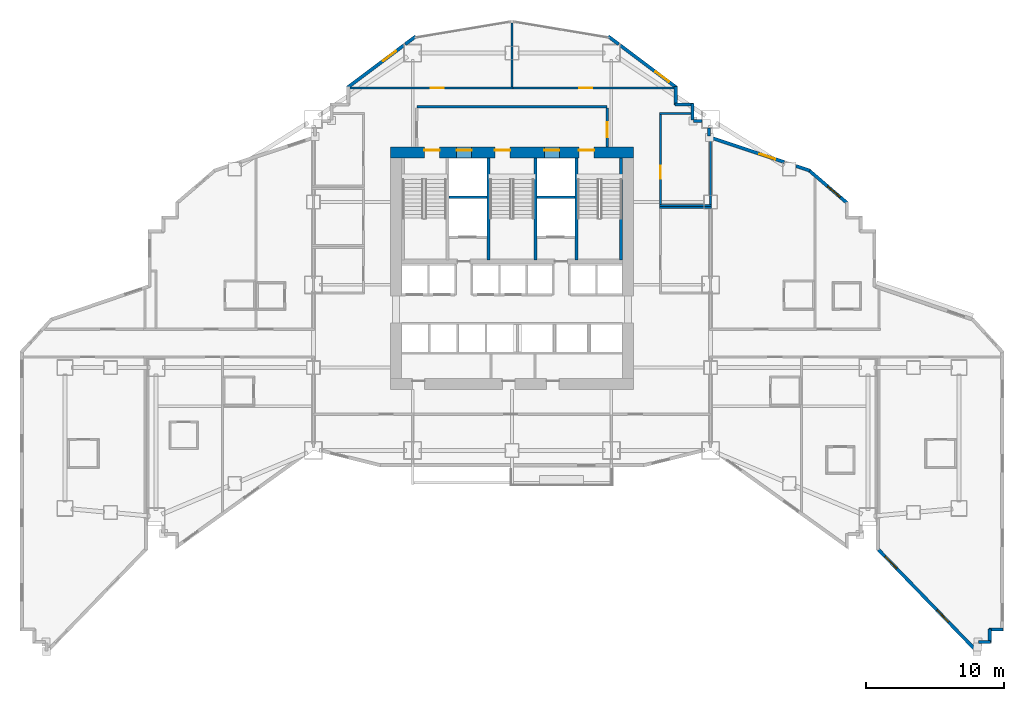
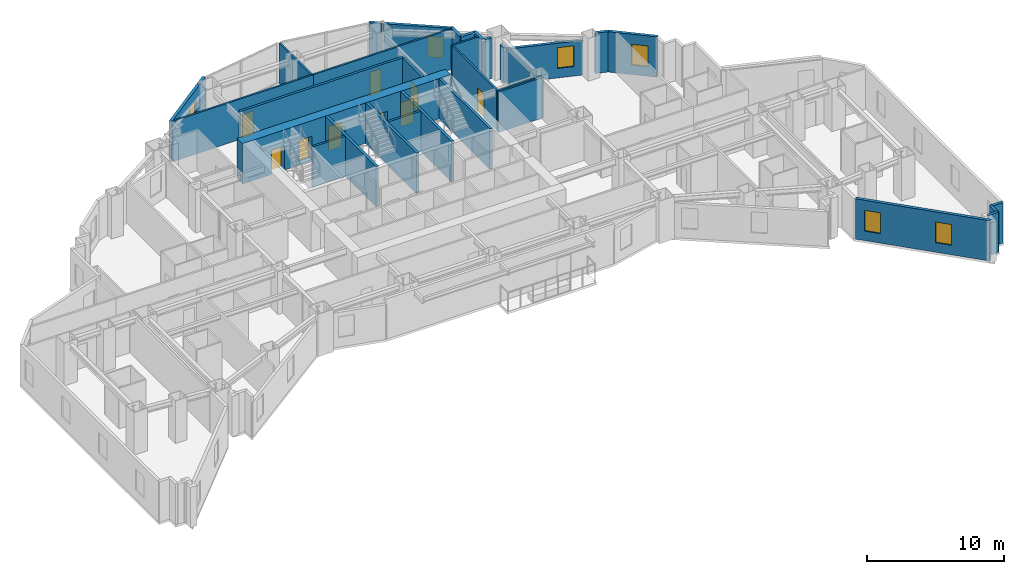
# One storey, part 11 of 17: 33 walls, 9 doors, 6 windows, 15 openings.
"""IFC4 building model written with IfcOpenShell, lengths in metres."""

import ifcopenshell
import ifcopenshell.guid

model = None  # the IFC model being written
_history = None  # IfcOwnerHistory: only IFC2X3 demands one
_inside = {}  # id of a spatial element -> (the spatial element, [elements in it])
_under = {}  # id of a project, library or spatial element -> (it, [spatial elements below it])
_declared = {}  # id of a project -> (the project, [libraries it declares])
_typed = {}  # id of a type object -> (the type object, [elements of that type])
_made_of = {}  # id of a material, layer set ... -> (it, [elements and type objects made of it])


def new_model(schema):
    """Start an empty IFC model of exactly this schema.

    Asked for "IFC4X3", IfcOpenShell would pick the latest addendum, in which some entities
    have other attributes; the version numbers below select the first issue.
    IFC2X3 requires an IfcOwnerHistory on every rooted entity: one is made here for all.
    """
    global model, _history
    if schema == "IFC4X3":
        model = ifcopenshell.file(schema_version=(4, 3, 0, 0))
    else:
        model = ifcopenshell.file(schema=schema)
    _inside.clear()
    _under.clear()
    _declared.clear()
    _typed.clear()
    _made_of.clear()
    _history = None
    if model.schema == "IFC2X3":
        org = make("IfcOrganization", Name="unknown")
        user = make(
            "IfcPersonAndOrganization",
            ThePerson=make("IfcPerson", FamilyName="unknown"),
            TheOrganization=org,
        )
        app = make(
            "IfcApplication",
            ApplicationDeveloper=org,
            Version="unknown",
            ApplicationFullName="unknown",
            ApplicationIdentifier="unknown",
        )
        _history = make(
            "IfcOwnerHistory",
            OwningUser=user,
            OwningApplication=app,
            ChangeAction="ADDED",
            CreationDate=0,
        )
    return model


def make(cls, **values):
    """One entity of the class cls with the attributes given. An attribute that is None is left unset."""
    return model.create_entity(
        cls, **{name: value for name, value in values.items() if value is not None}
    )


def rooted(cls, **values):
    """An entity with a GlobalId (a new one), such as an element, a storey or a relation."""
    return make(cls, GlobalId=ifcopenshell.guid.new(), OwnerHistory=_history, **values)


def si_unit(unit_type, name, prefix=None):
    """IfcSIUnit, for example si_unit("LENGTHUNIT", "METRE", prefix="MILLI")."""
    return make("IfcSIUnit", UnitType=unit_type, Prefix=prefix, Name=name)


def assignment(units):
    """IfcUnitAssignment: the units of a project."""
    return None if units is None else make("IfcUnitAssignment", Units=units)


def point(xyz):
    """IfcCartesianPoint."""
    return None if xyz is None else make("IfcCartesianPoint", Coordinates=xyz)


def direction(xyz):
    """IfcDirection."""
    return None if xyz is None else make("IfcDirection", DirectionRatios=xyz)


def frame(location, z_axis=None, x_axis=None):
    """IfcAxis2Placement3D, a coordinate frame: its origin and axes. An axis left out is left unset."""
    return make(
        "IfcAxis2Placement3D",
        Location=point(location),
        Axis=direction(z_axis),
        RefDirection=direction(x_axis),
    )


def frame_2d(location, x_axis=None):
    """IfcAxis2Placement2D, a coordinate frame in the plane: its origin and x axis."""
    return make(
        "IfcAxis2Placement2D", Location=point(location), RefDirection=direction(x_axis)
    )


def origin():
    """The frame at (0, 0, 0) with its axes left unset."""
    return frame((0.0, 0.0, 0.0))


def place(relative_to, where):
    """IfcLocalPlacement: puts the frame where relative to a parent placement (None: the world)."""
    return make(
        "IfcLocalPlacement", PlacementRelTo=relative_to, RelativePlacement=where
    )


def context(
    kind, dimensions, precision=None, world=None, true_north=None, identifier=None
):
    """IfcGeometricRepresentationContext, for example the 3D "Model" context."""
    return make(
        "IfcGeometricRepresentationContext",
        ContextIdentifier=identifier,
        ContextType=kind,
        CoordinateSpaceDimension=dimensions,
        Precision=precision,
        WorldCoordinateSystem=world,
        TrueNorth=true_north,
    )


def subcontext(parent, identifier, kind, view, scale=None):
    """IfcGeometricRepresentationSubContext, for example "Body" below "Model"."""
    return make(
        "IfcGeometricRepresentationSubContext",
        ContextIdentifier=identifier,
        ContextType=kind,
        ParentContext=parent,
        TargetScale=scale,
        TargetView=view,
    )


def project(units=None, contexts=None):
    """IfcProject with its units and contexts."""
    return rooted(
        "IfcProject",
        Name="project",
        RepresentationContexts=contexts,
        UnitsInContext=assignment(units),
    )


def spatial(cls, under=None, at=None, **own):
    """A site, building, storey or space (cls), placed at a placement, below another one or the project."""
    s = rooted(cls, ObjectPlacement=at, **own)
    if under is not None:
        _under.setdefault(under.id(), (under, []))[1].append(s)
    return s


def profile(cls, at=None, kind="AREA", **sizes):
    """A parametric profile (cls). Its sizes go by their IFC names, for example OverallWidth=200.0."""
    return make(cls, ProfileType=kind, Position=at, **sizes)


def rectangle(**sizes):
    """IfcRectangleProfileDef."""
    return profile("IfcRectangleProfileDef", **sizes)


def extrude(swept, where, along, depth):
    """IfcExtrudedAreaSolid: the profile swept, set in the frame where, extruded along a direction by depth."""
    return make(
        "IfcExtrudedAreaSolid",
        SweptArea=swept,
        Position=where,
        ExtrudedDirection=direction(along),
        Depth=depth,
    )


def shape(context_of_items, identifier, shape_type, items):
    """IfcShapeRepresentation: the items that make up one representation, for example the "Body"."""
    return make(
        "IfcShapeRepresentation",
        ContextOfItems=context_of_items,
        RepresentationIdentifier=identifier,
        RepresentationType=shape_type,
        Items=items,
    )


def material(Name=None, Category=None):
    """IfcMaterial."""
    return make("IfcMaterial", Name=Name, Category=Category)


def layer(
    of_material, thickness, ventilated=None, Name=None, Category=None, Priority=None
):
    """IfcMaterialLayer: one layer of a wall or slab, of a material (None: an air gap)."""
    return make(
        "IfcMaterialLayer",
        Material=of_material,
        LayerThickness=thickness,
        IsVentilated=ventilated,
        Name=Name,
        Category=Category,
        Priority=Priority,
    )


def layer_set(layers, Name=None):
    """IfcMaterialLayerSet."""
    return make("IfcMaterialLayerSet", MaterialLayers=layers, LayerSetName=Name)


def made_of(thing, what):
    """Note that an element or type object is made of a material, layer set ...; save() writes the relation."""
    if what is not None:
        _made_of.setdefault(what.id(), (what, []))[1].append(thing)
    return thing


def type_object(cls, material=None, **own):
    """A type object (cls), such as IfcWallType, which elements share."""
    return made_of(rooted(cls, **own), material)


def element(
    cls,
    number,
    at=None,
    inside=None,
    cuts=None,
    type_object=None,
    material=None,
    context=None,
    identifier="Body",
    shape_type=None,
    held_by="IfcProductDefinitionShape",
    body=None,
    shapes=None,
    **own,
):
    """One element of the class cls, such as IfcWall. Its Tag is "e" and its number.

    at: its placement. inside: the storey or other place that contains it. cuts: it is an
    opening in that element (IfcRelVoidsElement). A single representation is given by context,
    identifier, shape_type and body (its items); several are given by shapes. held_by: the class
    of the entity that holds the representations. save() writes the other relations.
    """
    e = rooted(cls, Tag="e%d" % number, ObjectPlacement=at, **own)
    if body is not None:
        shapes = [shape(context, identifier, shape_type, body)]
    if shapes is not None:
        e.Representation = make(held_by, Representations=shapes)
    if inside is not None:
        _inside.setdefault(inside.id(), (inside, []))[1].append(e)
    if cuts is not None:
        rooted(
            "IfcRelVoidsElement", RelatingBuildingElement=cuts, RelatedOpeningElement=e
        )
    if type_object is not None:
        _typed.setdefault(type_object.id(), (type_object, []))[1].append(e)
    return made_of(e, material)


def fill(opening, filler):
    """IfcRelFillsElement: the door or window that sits in an opening."""
    return rooted(
        "IfcRelFillsElement",
        RelatingOpeningElement=opening,
        RelatedBuildingElement=filler,
    )


def aggregate(whole, parts):
    """IfcRelAggregates: a whole, such as a stair, and the parts it consists of."""
    return rooted("IfcRelAggregates", RelatingObject=whole, RelatedObjects=parts)


def save(model, path):
    """Write the relations noted so far, then the file.

    IfcRelAggregates (storeys below a building ...), IfcRelContainedInSpatialStructure (elements
    in a storey), IfcRelDefinesByType, IfcRelAssociatesMaterial and IfcRelDeclares: one each for
    every whole, place, type object, material and project.
    """
    for whole, parts in _under.values():
        aggregate(whole, parts)
    for where, things in _inside.values():
        rooted(
            "IfcRelContainedInSpatialStructure",
            RelatedElements=things,
            RelatingStructure=where,
        )
    for kind, things in _typed.values():
        rooted("IfcRelDefinesByType", RelatedObjects=things, RelatingType=kind)
    for what, things in _made_of.values():
        rooted("IfcRelAssociatesMaterial", RelatedObjects=things, RelatingMaterial=what)
    for by, libraries in _declared.values():
        rooted("IfcRelDeclares", RelatingContext=by, RelatedDefinitions=libraries)
    model.write(path)


model = new_model("IFC4")

# Units and contexts
model_context = context("Model", 3, precision=1e-05, world=origin(), true_north=direction((0.0, 1.0)))
body_context = subcontext(model_context, "Body", "Model", "MODEL_VIEW")
ifc_project = project(units=[si_unit("LENGTHUNIT", "METRE"), si_unit("AREAUNIT", "SQUARE_METRE"), si_unit("VOLUMEUNIT", "CUBIC_METRE"), si_unit("PLANEANGLEUNIT", "RADIAN"), si_unit("MASSUNIT", "GRAM", prefix="KILO")], contexts=[model_context])

# Site, building, storey
site_placement = place(None, origin())
site = spatial("IfcSite", under=ifc_project, at=site_placement, CompositionType="ELEMENT")
building_placement = place(site_placement, origin())
building = spatial("IfcBuilding", under=site, at=building_placement, Name="Haolan Belvedere Tower", CompositionType="ELEMENT")
storey_placement = place(building_placement, frame((0.0, 0.0, 35.39990234375)))
storey = spatial("IfcBuildingStorey", under=building, at=storey_placement, Name="L08", CompositionType="ELEMENT", Elevation=35.39990234375)

# Wall, openings, doors
ifc_material_1 = material(Name="Concrete C70/85", Category="concrete")
ifc_layer_1 = layer(ifc_material_1, 0.800048828125, Name="Concrete C70/85")
ifc_layer_set_1 = layer_set([ifc_layer_1], Name="Concrete C70/85")
wall_type_1 = type_object("IfcWallType", Name="WL-CORE-800", PredefinedType="SHEAR", material=ifc_layer_set_1)
wall_1_placement = place(storey_placement, frame((29.60009765625, 43.199951171875, 0.0), z_axis=(0.0, 0.0, 1.0), x_axis=(1.0, 0.0, 0.0)))
wall_1 = element("IfcWall", 1, at=wall_1_placement, inside=storey, type_object=wall_type_1, Name="L08 central core north shear wall", PredefinedType="SHEAR", context=body_context, shape_type="SweptSolid", body=[
    extrude(rectangle(XDim=17.599853515625, YDim=0.800048828125, at=frame_2d((8.7998046875, 0.0))), origin(), (0.0, 0.0, 1.0), 3.60009765625),
])
opening_1_placement = place(wall_1_placement, frame((2.449951171875, 0.0, 0.0)))
opening_1 = element("IfcOpeningElement", 2, at=opening_1_placement, cuts=wall_1, Name="Opening FD-03", PredefinedType="OPENING", context=body_context, shape_type="SweptSolid", body=[
    extrude(rectangle(XDim=1.10009765625, YDim=2.14990234375, at=frame_2d((0.550048828125, 1.074951171875))), frame((0.0, 0.409912109375, 0.0), z_axis=(0.0, -1.0, 0.0), x_axis=(1.0, 0.0, 0.0)), (0.0, 0.0, 1.0), 0.820068359375),
])
opening_2_placement = place(wall_1_placement, frame((7.56005859375, 0.0, 0.0)))
opening_2 = element("IfcOpeningElement", 3, at=opening_2_placement, cuts=wall_1, Name="Opening FD-03", PredefinedType="OPENING", context=body_context, shape_type="SweptSolid", body=[
    extrude(rectangle(XDim=1.10009765625, YDim=2.14990234375, at=frame_2d((0.550048828125, 1.074951171875))), frame((0.0, 0.409912109375, 0.0), z_axis=(0.0, -1.0, 0.0), x_axis=(1.0, 0.0, 0.0)), (0.0, 0.0, 1.0), 0.820068359375),
])
opening_3_placement = place(wall_1_placement, frame((13.64990234375, 0.0, 0.0)))
opening_3 = element("IfcOpeningElement", 4, at=opening_3_placement, cuts=wall_1, Name="Opening FD-03", PredefinedType="OPENING", context=body_context, shape_type="SweptSolid", body=[
    extrude(rectangle(XDim=1.10009765625, YDim=2.14990234375, at=frame_2d((0.550048828125, 1.074951171875))), frame((0.0, 0.409912109375, 0.0), z_axis=(0.0, -1.0, 0.0), x_axis=(1.0, 0.0, 0.0)), (0.0, 0.0, 1.0), 0.820068359375),
])
opening_4_placement = place(wall_1_placement, frame((4.780029296875, 0.0, 0.0)))
opening_4 = element("IfcOpeningElement", 5, at=opening_4_placement, cuts=wall_1, Name="Opening LD-01", PredefinedType="OPENING", context=body_context, shape_type="SweptSolid", body=[
    extrude(rectangle(XDim=1.10009765625, YDim=2.199951171875, at=frame_2d((0.550048828125, 1.10009765625))), frame((0.0, 0.409912109375, 0.0), z_axis=(0.0, -1.0, 0.0), x_axis=(1.0, 0.0, 0.0)), (0.0, 0.0, 1.0), 0.820068359375),
])
opening_5_placement = place(wall_1_placement, frame((11.139892578125, 0.0, 0.0)))
opening_5 = element("IfcOpeningElement", 6, at=opening_5_placement, cuts=wall_1, Name="Opening LD-01", PredefinedType="OPENING", context=body_context, shape_type="SweptSolid", body=[
    extrude(rectangle(XDim=1.10009765625, YDim=2.199951171875, at=frame_2d((0.550048828125, 1.10009765625))), frame((0.0, 0.409912109375, 0.0), z_axis=(0.0, -1.0, 0.0), x_axis=(1.0, 0.0, 0.0)), (0.0, 0.0, 1.0), 0.820068359375),
])
ifc_material_2 = material(Name="Galvanised fire-rated steel", Category="steel")
door_type_1 = type_object("IfcDoorType", Name="DR-FD90-1100", OperationType="NOTDEFINED", PredefinedType="DOOR", material=ifc_material_2)
door_1_placement = place(opening_1_placement, origin())
door_1 = element("IfcDoor", 7, at=door_1_placement, inside=storey, type_object=door_type_1, Name="L08 door CD-L08-ST1", OperationType="SINGLE_SWING_LEFT", OverallHeight=2.14990234375, OverallWidth=1.10009765625, PredefinedType="DOOR", context=body_context, shape_type="SweptSolid", body=[
    extrude(rectangle(XDim=1.10009765625, YDim=2.14990234375, at=frame_2d((0.550048828125, 1.074951171875))), frame((0.0, 0.18505859375, 0.0), z_axis=(0.0, -1.0, 0.0), x_axis=(1.0, 0.0, 0.0)), (0.0, 0.0, 1.0), 0.050048828125),
])
fill(opening_1, door_1)
door_2_placement = place(opening_2_placement, origin())
door_2 = element("IfcDoor", 8, at=door_2_placement, inside=storey, type_object=door_type_1, Name="L08 door CD-L08-ST3", OperationType="SINGLE_SWING_LEFT", OverallHeight=2.14990234375, OverallWidth=1.10009765625, PredefinedType="DOOR", context=body_context, shape_type="SweptSolid", body=[
    extrude(rectangle(XDim=1.10009765625, YDim=2.14990234375, at=frame_2d((0.550048828125, 1.074951171875))), frame((0.0, 0.18505859375, 0.0), z_axis=(0.0, -1.0, 0.0), x_axis=(1.0, 0.0, 0.0)), (0.0, 0.0, 1.0), 0.050048828125),
])
fill(opening_2, door_2)
door_3_placement = place(opening_3_placement, origin())
door_3 = element("IfcDoor", 9, at=door_3_placement, inside=storey, type_object=door_type_1, Name="L08 door CD-L08-ST2", OperationType="SINGLE_SWING_RIGHT", OverallHeight=2.14990234375, OverallWidth=1.10009765625, PredefinedType="DOOR", context=body_context, shape_type="SweptSolid", body=[
    extrude(rectangle(XDim=1.10009765625, YDim=2.14990234375, at=frame_2d((0.550048828125, 1.074951171875))), frame((0.0, 0.18505859375, 0.0), z_axis=(0.0, -1.0, 0.0), x_axis=(1.0, 0.0, 0.0)), (0.0, 0.0, 1.0), 0.050048828125),
])
fill(opening_3, door_3)
ifc_material_3 = material(Name="Brushed champagne stainless steel 316L", Category="steel")
door_type_2 = type_object("IfcDoorType", Name="DR-LIFT-1100", OperationType="SLIDING_TO_LEFT", PredefinedType="DOOR", material=ifc_material_3)
door_4_placement = place(opening_4_placement, origin())
door_4 = element("IfcDoor", 10, at=door_4_placement, inside=storey, type_object=door_type_2, Name="L08 door LD-L08-FF1", OperationType="SLIDING_TO_LEFT", OverallHeight=2.199951171875, OverallWidth=1.10009765625, PredefinedType="DOOR", context=body_context, shape_type="SweptSolid", body=[
    extrude(rectangle(XDim=1.10009765625, YDim=2.199951171875, at=frame_2d((0.550048828125, 1.10009765625))), frame((0.0, 0.18505859375, 0.0), z_axis=(0.0, -1.0, 0.0), x_axis=(1.0, 0.0, 0.0)), (0.0, 0.0, 1.0), 0.050048828125),
])
fill(opening_4, door_4)
door_5_placement = place(opening_5_placement, origin())
door_5 = element("IfcDoor", 11, at=door_5_placement, inside=storey, type_object=door_type_2, Name="L08 door LD-L08-FF2", OperationType="SLIDING_TO_LEFT", OverallHeight=2.199951171875, OverallWidth=1.10009765625, PredefinedType="DOOR", context=body_context, shape_type="SweptSolid", body=[
    extrude(rectangle(XDim=1.10009765625, YDim=2.199951171875, at=frame_2d((0.550048828125, 1.10009765625))), frame((0.0, 0.18505859375, 0.0), z_axis=(0.0, -1.0, 0.0), x_axis=(1.0, 0.0, 0.0)), (0.0, 0.0, 1.0), 0.050048828125),
])
fill(opening_5, door_5)

# Wall, openings, windows
ifc_material_4 = material(Name="Precast concrete C40/50", Category="concrete")
ifc_layer_2 = layer(ifc_material_4, 0.239990234375, Name="Precast concrete C40/50")
ifc_layer_set_2 = layer_set([ifc_layer_2], Name="Precast concrete C40/50")
wall_type_2 = type_object("IfcWallType", Name="WL-EXT-240", PredefinedType="SOLIDWALL", material=ifc_layer_set_2)
wall_2_placement = place(storey_placement, frame((64.965087890625, 14.40185546875, 0.0), z_axis=(0.0, 0.0, 1.0), x_axis=(0.695499332701, -0.718526741473, 0.0)))
wall_2 = element("IfcWall", 12, at=wall_2_placement, inside=storey, type_object=wall_type_2, Name="L08 pale-metal exterior spandrel wall 21.1", PredefinedType="SOLIDWALL", context=body_context, shape_type="SweptSolid", body=[
    extrude(rectangle(XDim=10.231201171875, YDim=0.239990234375, at=frame_2d((5.11572265625, 0.0))), origin(), (0.0, 0.0, 1.0), 3.60009765625),
])
opening_6_placement = place(wall_2_placement, frame((0.699951171875, 0.0, 0.85009765625)))
opening_6 = element("IfcOpeningElement", 13, at=opening_6_placement, cuts=wall_2, Name="Opening W-01", PredefinedType="OPENING", context=body_context, shape_type="SweptSolid", body=[
    extrude(rectangle(XDim=1.199951171875, YDim=1.85009765625, at=frame_2d((0.60009765625, 0.925048828125))), frame((0.0, 0.1298828125, 0.0), z_axis=(0.0, -1.0, 0.0), x_axis=(1.0, 0.0, 0.0)), (0.0, 0.0, 1.0), 0.260009765625),
])
opening_7_placement = place(wall_2_placement, frame((6.10009765625, 0.0, 0.85009765625)))
opening_7 = element("IfcOpeningElement", 14, at=opening_7_placement, cuts=wall_2, Name="Opening W-01", PredefinedType="OPENING", context=body_context, shape_type="SweptSolid", body=[
    extrude(rectangle(XDim=1.199951171875, YDim=1.85009765625, at=frame_2d((0.60009765625, 0.925048828125))), frame((0.0, 0.1298828125, 0.0), z_axis=(0.0, -1.0, 0.0), x_axis=(1.0, 0.0, 0.0)), (0.0, 0.0, 1.0), 0.260009765625),
])
ifc_material_5 = material(Name="Anodised aluminium 6063-T6 and Low-E glass", Category="aluminium")
window_type = type_object("IfcWindowType", Name="WN-DECO-Z1", PartitioningType="SINGLE_PANEL", PredefinedType="WINDOW", material=ifc_material_5)
window_1_placement = place(opening_6_placement, origin())
window_1 = element("IfcWindow", 15, at=window_1_placement, inside=storey, type_object=window_type, Name="L08 Art Deco chevron window 1", OverallHeight=1.85009765625, OverallWidth=1.199951171875, PartitioningType="SINGLE_PANEL", PredefinedType="WINDOW", context=body_context, shape_type="SweptSolid", body=[
    extrude(rectangle(XDim=1.199951171875, YDim=1.85009765625, at=frame_2d((0.60009765625, 0.925048828125))), frame((0.0, 0.030029296875, 0.0), z_axis=(0.0, -1.0, 0.0), x_axis=(1.0, 0.0, 0.0)), (0.0, 0.0, 1.0), 0.06005859375),
])
fill(opening_6, window_1)
window_2_placement = place(opening_7_placement, origin())
window_2 = element("IfcWindow", 16, at=window_2_placement, inside=storey, type_object=window_type, Name="L08 Art Deco chevron window 2", OverallHeight=1.85009765625, OverallWidth=1.199951171875, PartitioningType="SINGLE_PANEL", PredefinedType="WINDOW", context=body_context, shape_type="SweptSolid", body=[
    extrude(rectangle(XDim=1.199951171875, YDim=1.85009765625, at=frame_2d((0.60009765625, 0.925048828125))), frame((0.0, 0.030029296875, 0.0), z_axis=(0.0, -1.0, 0.0), x_axis=(1.0, 0.0, 0.0)), (0.0, 0.0, 1.0), 0.06005859375),
])
fill(opening_7, window_2)

# Walls
wall_3_placement = place(storey_placement, frame((72.22509765625, 7.712890625, 0.0), z_axis=(0.0, 0.0, 1.0), x_axis=(1.0, 0.0, 0.0)))
element("IfcWall", 17, at=wall_3_placement, inside=storey, type_object=wall_type_2, Name="L08 pale-metal exterior spandrel wall 23.1", PredefinedType="SOLIDWALL", context=body_context, shape_type="SweptSolid", body=[
    extrude(rectangle(XDim=0.869873046875, YDim=0.239990234375, at=frame_2d((0.43505859375, 0.0))), origin(), (0.0, 0.0, 1.0), 3.60009765625),
])
for number, where, z_axis, x_axis, name in (
    (18, (73.0400390625, 7.657958984375, 0.0), (0.0, 0.0, 1.0), (0.0, 1.0, 0.0), "L08 pale-metal exterior spandrel wall 24.1"),
    (19, (72.985107421875, 8.613037109375, 0.0), (0.0, 0.0, 1.0), (1.0, 0.0, 0.0), "L08 pale-metal exterior spandrel wall 25.1"),
):
    element("IfcWall", number, at=place(storey_placement, frame(where, z_axis=z_axis, x_axis=x_axis)), inside=storey, type_object=wall_type_2, Name=name, PredefinedType="SOLIDWALL", context=body_context, shape_type="SweptSolid", body=[
        extrude(rectangle(XDim=1.010009765625, YDim=0.239990234375, at=frame_2d((0.5048828125, 0.0))), origin(), (0.0, 0.0, 1.0), 3.60009765625),
    ])

# Wall, opening, window
wall_4_placement = place(storey_placement, frame((62.7216796875, 39.509033203125, 0.0), z_axis=(0.0, 0.0, 1.0), x_axis=(-0.759247334792, 0.650802185469, 0.0)))
wall_4 = element("IfcWall", 20, at=wall_4_placement, inside=storey, type_object=wall_type_2, Name="L08 pale-metal exterior spandrel wall 34.1", PredefinedType="SOLIDWALL", context=body_context, shape_type="SweptSolid", body=[
    extrude(rectangle(XDim=3.71923828125, YDim=0.239990234375, at=frame_2d((1.859619140625, 0.0))), origin(), (0.0, 0.0, 1.0), 3.60009765625),
])
opening_8_placement = place(wall_4_placement, frame((0.699951171875, 0.0, 0.85009765625)))
opening_8 = element("IfcOpeningElement", 21, at=opening_8_placement, cuts=wall_4, Name="Opening W-01", PredefinedType="OPENING", context=body_context, shape_type="SweptSolid", body=[
    extrude(rectangle(XDim=1.199951171875, YDim=1.85009765625, at=frame_2d((0.60009765625, 0.925048828125))), frame((0.0, 0.1298828125, 0.0), z_axis=(0.0, -1.0, 0.0), x_axis=(1.0, 0.0, 0.0)), (0.0, 0.0, 1.0), 0.260009765625),
])
window_3_placement = place(opening_8_placement, origin())
window_3 = element("IfcWindow", 22, at=window_3_placement, inside=storey, type_object=window_type, Name="L08 Art Deco chevron window 1", OverallHeight=1.85009765625, OverallWidth=1.199951171875, PartitioningType="SINGLE_PANEL", PredefinedType="WINDOW", context=body_context, shape_type="SweptSolid", body=[
    extrude(rectangle(XDim=1.199951171875, YDim=1.85009765625, at=frame_2d((0.60009765625, 0.925048828125))), frame((0.0, 0.030029296875, 0.0), z_axis=(0.0, -1.0, 0.0), x_axis=(1.0, 0.0, 0.0)), (0.0, 0.0, 1.0), 0.06005859375),
])
fill(opening_8, window_3)

# Wall
wall_5_placement = place(storey_placement, frame((59.991943359375, 41.876220703125, 0.0), z_axis=(0.0, 0.0, 1.0), x_axis=(-0.948706457285, 0.316158279832, 0.0)))
element("IfcWall", 23, at=wall_5_placement, inside=storey, type_object=wall_type_2, Name="L08 pale-metal exterior spandrel wall 35.1", PredefinedType="SOLIDWALL", context=body_context, shape_type="SweptSolid", body=[
    extrude(rectangle(XDim=1.053955078125, YDim=0.239990234375, at=frame_2d((0.52685546875, 0.0))), origin(), (0.0, 0.0, 1.0), 3.60009765625),
])

# Wall, opening, window
wall_6_placement = place(storey_placement, frame((58.14453125, 42.491943359375, 0.0), z_axis=(0.0, 0.0, 1.0), x_axis=(-0.948683298051, 0.316227766017, 0.0)))
wall_6 = element("IfcWall", 24, at=wall_6_placement, inside=storey, type_object=wall_type_2, Name="L08 pale-metal exterior spandrel wall 35.2", PredefinedType="SOLIDWALL", context=body_context, shape_type="SweptSolid", body=[
    extrude(rectangle(XDim=5.67529296875, YDim=0.239990234375, at=frame_2d((2.837646484375, 0.0))), origin(), (0.0, 0.0, 1.0), 3.09716796875),
])
opening_9_placement = place(wall_6_placement, frame((0.699951171875, 0.0, 0.85009765625)))
opening_9 = element("IfcOpeningElement", 25, at=opening_9_placement, cuts=wall_6, Name="Opening W-01", PredefinedType="OPENING", context=body_context, shape_type="SweptSolid", body=[
    extrude(rectangle(XDim=1.199951171875, YDim=1.85009765625, at=frame_2d((0.60009765625, 0.925048828125))), frame((0.0, 0.1298828125, 0.0), z_axis=(0.0, -1.0, 0.0), x_axis=(1.0, 0.0, 0.0)), (0.0, 0.0, 1.0), 0.260009765625),
])
window_4_placement = place(opening_9_placement, origin())
window_4 = element("IfcWindow", 26, at=window_4_placement, inside=storey, type_object=window_type, Name="L08 Art Deco chevron window 1", OverallHeight=1.85009765625, OverallWidth=1.199951171875, PartitioningType="SINGLE_PANEL", PredefinedType="WINDOW", context=body_context, shape_type="SweptSolid", body=[
    extrude(rectangle(XDim=1.199951171875, YDim=1.85009765625, at=frame_2d((0.60009765625, 0.925048828125))), frame((0.0, 0.030029296875, 0.0), z_axis=(0.0, -1.0, 0.0), x_axis=(1.0, 0.0, 0.0)), (0.0, 0.0, 1.0), 0.06005859375),
])
fill(opening_9, window_4)

# Walls
wall_7_placement = place(storey_placement, frame((52.679931640625, 44.3984375, 0.0), z_axis=(0.0, 0.0, 1.0), x_axis=(0.0, 1.0, 0.0)))
element("IfcWall", 27, at=wall_7_placement, inside=storey, type_object=wall_type_2, Name="L08 pale-metal exterior spandrel wall 36.1", PredefinedType="SOLIDWALL", context=body_context, shape_type="SweptSolid", body=[
    extrude(rectangle(XDim=0.5595703125, YDim=0.239990234375, at=frame_2d((0.27978515625, 0.0))), origin(), (0.0, 0.0, 1.0), 3.09716796875),
])
wall_8_placement = place(storey_placement, frame((52.157958984375, 45.47998046875, 0.0), z_axis=(0.0, 0.0, 1.0), x_axis=(-1.0, 0.0, 0.0)))
element("IfcWall", 28, at=wall_8_placement, inside=storey, type_object=wall_type_2, Name="L08 pale-metal exterior spandrel wall 37.1", PredefinedType="SOLIDWALL", context=body_context, shape_type="SweptSolid", body=[
    extrude(rectangle(XDim=0.593017578125, YDim=0.239990234375, at=frame_2d((0.29638671875, 0.0))), origin(), (0.0, 0.0, 1.0), 3.60009765625),
])
wall_9_placement = place(storey_placement, frame((51.47998046875, 45.56494140625, 0.0), z_axis=(0.0, 0.0, 1.0), x_axis=(0.0, 1.0, 0.0)))
element("IfcWall", 29, at=wall_9_placement, inside=storey, type_object=wall_type_2, Name="L08 pale-metal exterior spandrel wall 38.1", PredefinedType="SOLIDWALL", context=body_context, shape_type="SweptSolid", body=[
    extrude(rectangle(XDim=1.170166015625, YDim=0.239990234375, at=frame_2d((0.5849609375, 0.0))), origin(), (0.0, 0.0, 1.0), 3.60009765625),
])
wall_10_placement = place(storey_placement, frame((51.534912109375, 46.679931640625, 0.0), z_axis=(0.0, 0.0, 1.0), x_axis=(-1.0, 0.0, 0.0)))
element("IfcWall", 30, at=wall_10_placement, inside=storey, type_object=wall_type_2, Name="L08 pale-metal exterior spandrel wall 39.1", PredefinedType="SOLIDWALL", context=body_context, shape_type="SweptSolid", body=[
    extrude(rectangle(XDim=1.309814453125, YDim=0.239990234375, at=frame_2d((0.65478515625, 0.0))), origin(), (0.0, 0.0, 1.0), 3.60009765625),
])
wall_11_placement = place(storey_placement, frame((50.280029296875, 46.625, 0.0), z_axis=(0.0, 0.0, 1.0), x_axis=(0.0, 1.0, 0.0)))
element("IfcWall", 31, at=wall_11_placement, inside=storey, type_object=wall_type_2, Name="L08 pale-metal exterior spandrel wall 40.1", PredefinedType="SOLIDWALL", context=body_context, shape_type="SweptSolid", body=[
    extrude(rectangle(XDim=1.3701171875, YDim=0.239990234375, at=frame_2d((0.68505859375, 0.0))), origin(), (0.0, 0.0, 1.0), 3.60009765625),
])

# Wall, opening, window
wall_12_placement = place(storey_placement, frame((50.323974609375, 47.906982421875, 0.0), z_axis=(0.0, 0.0, 1.0), x_axis=(-0.8, 0.6, 0.0)))
wall_12 = element("IfcWall", 32, at=wall_12_placement, inside=storey, type_object=wall_type_2, Name="L08 pale-metal exterior spandrel wall 41.1", PredefinedType="SOLIDWALL", context=body_context, shape_type="SweptSolid", body=[
    extrude(rectangle(XDim=5.1025390625, YDim=0.239990234375, at=frame_2d((2.55126953125, 0.0))), origin(), (0.0, 0.0, 1.0), 3.60009765625),
])
opening_10_placement = place(wall_12_placement, frame((0.699951171875, 0.0, 0.85009765625)))
opening_10 = element("IfcOpeningElement", 33, at=opening_10_placement, cuts=wall_12, Name="Opening W-01", PredefinedType="OPENING", context=body_context, shape_type="SweptSolid", body=[
    extrude(rectangle(XDim=1.199951171875, YDim=1.85009765625, at=frame_2d((0.60009765625, 0.925048828125))), frame((0.0, 0.1298828125, 0.0), z_axis=(0.0, -1.0, 0.0), x_axis=(1.0, 0.0, 0.0)), (0.0, 0.0, 1.0), 0.260009765625),
])
window_5_placement = place(opening_10_placement, origin())
window_5 = element("IfcWindow", 34, at=window_5_placement, inside=storey, type_object=window_type, Name="L08 Art Deco chevron window 1", OverallHeight=1.85009765625, OverallWidth=1.199951171875, PartitioningType="SINGLE_PANEL", PredefinedType="WINDOW", context=body_context, shape_type="SweptSolid", body=[
    extrude(rectangle(XDim=1.199951171875, YDim=1.85009765625, at=frame_2d((0.60009765625, 0.925048828125))), frame((0.0, 0.030029296875, 0.0), z_axis=(0.0, -1.0, 0.0), x_axis=(1.0, 0.0, 0.0)), (0.0, 0.0, 1.0), 0.06005859375),
])
fill(opening_10, window_5)

# Walls
wall_13_placement = place(storey_placement, frame((46.143798828125, 51.0419921875, 0.0), z_axis=(0.0, 0.0, 1.0), x_axis=(-0.8, 0.6, 0.0)))
element("IfcWall", 35, at=wall_13_placement, inside=storey, type_object=wall_type_2, Name="L08 pale-metal exterior spandrel wall 41.2", PredefinedType="SOLIDWALL", context=body_context, shape_type="SweptSolid", body=[
    extrude(rectangle(XDim=0.965576171875, YDim=0.239990234375, at=frame_2d((0.48291015625, 0.0))), origin(), (0.0, 0.0, 1.0), 3.60009765625),
])
wall_14_placement = place(storey_placement, frame((31.4287109375, 51.621337890625, 0.0), z_axis=(0.0, 0.0, 1.0), x_axis=(-0.800090996409, -0.599878652284, 0.0)))
element("IfcWall", 36, at=wall_14_placement, inside=storey, type_object=wall_type_2, Name="L08 pale-metal exterior spandrel wall 44.1", PredefinedType="SOLIDWALL", context=body_context, shape_type="SweptSolid", body=[
    extrude(rectangle(XDim=0.9658203125, YDim=0.239990234375, at=frame_2d((0.48291015625, 0.0))), origin(), (0.0, 0.0, 1.0), 3.60009765625),
])

# Wall, opening, window
wall_15_placement = place(storey_placement, frame((30.55810546875, 50.968505859375, 0.0), z_axis=(0.0, 0.0, 1.0), x_axis=(-0.8, -0.6, 0.0)))
wall_15 = element("IfcWall", 37, at=wall_15_placement, inside=storey, type_object=wall_type_2, Name="L08 pale-metal exterior spandrel wall 44.2", PredefinedType="SOLIDWALL", context=body_context, shape_type="SweptSolid", body=[
    extrude(rectangle(XDim=5.1025390625, YDim=0.239990234375, at=frame_2d((2.55126953125, 0.0))), origin(), (0.0, 0.0, 1.0), 3.60009765625),
])
opening_11_placement = place(wall_15_placement, frame((0.699951171875, 0.0, 0.85009765625)))
opening_11 = element("IfcOpeningElement", 38, at=opening_11_placement, cuts=wall_15, Name="Opening W-01", PredefinedType="OPENING", context=body_context, shape_type="SweptSolid", body=[
    extrude(rectangle(XDim=1.199951171875, YDim=1.85009765625, at=frame_2d((0.60009765625, 0.925048828125))), frame((0.0, 0.1298828125, 0.0), z_axis=(0.0, -1.0, 0.0), x_axis=(1.0, 0.0, 0.0)), (0.0, 0.0, 1.0), 0.260009765625),
])
window_6_placement = place(opening_11_placement, origin())
window_6 = element("IfcWindow", 39, at=window_6_placement, inside=storey, type_object=window_type, Name="L08 Art Deco chevron window 1", OverallHeight=1.85009765625, OverallWidth=1.199951171875, PartitioningType="SINGLE_PANEL", PredefinedType="WINDOW", context=body_context, shape_type="SweptSolid", body=[
    extrude(rectangle(XDim=1.199951171875, YDim=1.85009765625, at=frame_2d((0.60009765625, 0.925048828125))), frame((0.0, 0.030029296875, 0.0), z_axis=(0.0, -1.0, 0.0), x_axis=(1.0, 0.0, 0.0)), (0.0, 0.0, 1.0), 0.06005859375),
])
fill(opening_11, window_6)

# Wall
ifc_material_6 = material(Name="Concrete C40/50", Category="concrete")
ifc_layer_3 = layer(ifc_material_6, 0.199951171875, Name="Concrete C40/50")
ifc_layer_set_3 = layer_set([ifc_layer_3], Name="Concrete C40/50")
wall_type_3 = type_object("IfcWallType", Name="WL-FIRE-200", PredefinedType="SOLIDWALL", material=ifc_layer_set_3)
wall_16_placement = place(storey_placement, frame((31.5, 46.52001953125, 0.0), z_axis=(0.0, 0.0, 1.0), x_axis=(1.0, 0.0, 0.0)))
element("IfcWall", 40, at=wall_16_placement, inside=storey, type_object=wall_type_3, Name="L08 interior partition IW-L08-FFL-N", PredefinedType="SOLIDWALL", context=body_context, shape_type="SweptSolid", body=[
    extrude(rectangle(XDim=13.800048828125, YDim=0.199951171875, at=frame_2d((6.89990234375, 0.0))), origin(), (0.0, 0.0, 1.0), 3.60009765625),
])

# Wall, opening, door
wall_17_placement = place(storey_placement, frame((45.300048828125, 43.60009765625, 0.0), z_axis=(0.0, 0.0, 1.0), x_axis=(0.0, 1.0, 0.0)))
wall_17 = element("IfcWall", 41, at=wall_17_placement, inside=storey, type_object=wall_type_3, Name="L08 interior partition IW-L08-FFL-E", PredefinedType="SOLIDWALL", context=body_context, shape_type="SweptSolid", body=[
    extrude(rectangle(XDim=2.8349609375, YDim=0.199951171875, at=frame_2d((1.41748046875, 0.0))), origin(), (0.0, 0.0, 1.0), 3.60009765625),
])
opening_12_placement = place(wall_17_placement, frame((0.699951171875, 0.0, 0.0)))
opening_12 = element("IfcOpeningElement", 42, at=opening_12_placement, cuts=wall_17, Name="Opening FD-03", PredefinedType="OPENING", context=body_context, shape_type="SweptSolid", body=[
    extrude(rectangle(XDim=1.10009765625, YDim=2.14990234375, at=frame_2d((0.550048828125, 1.074951171875))), frame((0.0, 0.10986328125, 0.0), z_axis=(0.0, -1.0, 0.0), x_axis=(1.0, 0.0, 0.0)), (0.0, 0.0, 1.0), 0.219970703125),
])
door_6_placement = place(opening_12_placement, origin())
door_6 = element("IfcDoor", 43, at=door_6_placement, inside=storey, type_object=door_type_1, Name="L08 door ID-L08-FFL-DE", OperationType="SINGLE_SWING_RIGHT", OverallHeight=2.14990234375, OverallWidth=1.10009765625, PredefinedType="DOOR", context=body_context, shape_type="SweptSolid", body=[
    extrude(rectangle(XDim=1.10009765625, YDim=2.14990234375, at=frame_2d((0.550048828125, 1.074951171875))), frame((0.0, 0.02490234375, 0.0), z_axis=(0.0, -1.0, 0.0), x_axis=(1.0, 0.0, 0.0)), (0.0, 0.0, 1.0), 0.050048828125),
])
fill(opening_12, door_6)

# Walls
ifc_material_7 = material(Name="Double gypsum acoustic stud partition", Category="masonry")
ifc_layer_4 = layer(ifc_material_7, 0.14990234375, Name="Double gypsum acoustic stud partition")
ifc_layer_set_4 = layer_set([ifc_layer_4], Name="Double gypsum acoustic stud partition")
wall_type_4 = type_object("IfcWallType", Name="WL-PART-150", PredefinedType="PARTITIONING", material=ifc_layer_set_4)
wall_18_placement = place(storey_placement, frame((49.080078125, 39.199951171875, 0.0), z_axis=(0.0, 0.0, 1.0), x_axis=(1.0, 0.0, 0.0)))
element("IfcWall", 44, at=wall_18_placement, inside=storey, type_object=wall_type_4, Name="L08 interior partition IW-L08-HSK-N", PredefinedType="PARTITIONING", context=body_context, shape_type="SweptSolid", body=[
    extrude(rectangle(XDim=3.7998046875, YDim=0.14990234375, at=frame_2d((1.89990234375, 0.0))), origin(), (0.0, 0.0, 1.0), 3.60009765625),
])
wall_19_placement = place(storey_placement, frame((49.080078125, 46.02001953125, 0.0), z_axis=(0.0, 0.0, 1.0), x_axis=(1.0, 0.0, 0.0)))
element("IfcWall", 45, at=wall_19_placement, inside=storey, type_object=wall_type_4, Name="L08 interior partition IW-L08-MTG-N", PredefinedType="PARTITIONING", context=body_context, shape_type="SweptSolid", body=[
    extrude(rectangle(XDim=2.294921875, YDim=0.14990234375, at=frame_2d((1.1474609375, 0.0))), origin(), (0.0, 0.0, 1.0), 3.60009765625),
])
wall_20_placement = place(storey_placement, frame((49.080078125, 39.360107421875, 0.0), z_axis=(0.0, 0.0, 1.0), x_axis=(1.0, 0.0, 0.0)))
element("IfcWall", 46, at=wall_20_placement, inside=storey, type_object=wall_type_4, Name="L08 interior partition IW-L08-MTG-S", PredefinedType="PARTITIONING", context=body_context, shape_type="SweptSolid", body=[
    extrude(rectangle(XDim=3.7998046875, YDim=0.14990234375, at=frame_2d((1.89990234375, 0.0))), origin(), (0.0, 0.0, 1.0), 3.60009765625),
])

# Wall, opening, door
wall_21_placement = place(storey_placement, frame((49.159912109375, 39.419921875, 0.0), z_axis=(0.0, 0.0, 1.0), x_axis=(0.0, 1.0, 0.0)))
wall_21 = element("IfcWall", 47, at=wall_21_placement, inside=storey, type_object=wall_type_4, Name="L08 interior partition IW-L08-MTG-W", PredefinedType="PARTITIONING", context=body_context, shape_type="SweptSolid", body=[
    extrude(rectangle(XDim=6.5400390625, YDim=0.14990234375, at=frame_2d((3.27001953125, 0.0))), origin(), (0.0, 0.0, 1.0), 3.60009765625),
])
opening_13_placement = place(wall_21_placement, frame((1.860107421875, 0.0, 0.0)))
opening_13 = element("IfcOpeningElement", 48, at=opening_13_placement, cuts=wall_21, Name="Opening ID-03", PredefinedType="OPENING", context=body_context, shape_type="SweptSolid", body=[
    extrude(rectangle(XDim=0.949951171875, YDim=2.1201171875, at=frame_2d((0.47509765625, 1.06005859375))), frame((0.0, 0.0849609375, 0.0), z_axis=(0.0, -1.0, 0.0), x_axis=(1.0, 0.0, 0.0)), (0.0, 0.0, 1.0), 0.169921875),
])
ifc_material_8 = material(Name="Painted solid-core timber", Category="wood")
door_type_3 = type_object("IfcDoorType", Name="DR-INT-950", OperationType="NOTDEFINED", PredefinedType="DOOR", material=ifc_material_8)
door_7_placement = place(opening_13_placement, origin())
door_7 = element("IfcDoor", 49, at=door_7_placement, inside=storey, type_object=door_type_3, Name="L08 door ID-L08-MTG", OperationType="SINGLE_SWING_LEFT", OverallHeight=2.1201171875, OverallWidth=0.949951171875, PredefinedType="DOOR", context=body_context, shape_type="SweptSolid", body=[
    extrude(rectangle(XDim=0.949951171875, YDim=2.1201171875, at=frame_2d((0.47509765625, 1.06005859375))), frame((0.0, 0.02490234375, 0.0), z_axis=(0.0, -1.0, 0.0), x_axis=(1.0, 0.0, 0.0)), (0.0, 0.0, 1.0), 0.050048828125),
])
fill(opening_13, door_7)

# Wall
wall_22_placement = place(storey_placement, frame((52.800048828125, 39.419921875, 0.0), z_axis=(0.0, 0.0, 1.0), x_axis=(0.0, 1.0, 0.0)))
element("IfcWall", 50, at=wall_22_placement, inside=storey, type_object=wall_type_4, Name="L08 interior partition IW-L08-MTG-E", PredefinedType="PARTITIONING", context=body_context, shape_type="SweptSolid", body=[
    extrude(rectangle(XDim=4.742919921875, YDim=0.14990234375, at=frame_2d((2.37158203125, 0.0))), origin(), (0.0, 0.0, 1.0), 3.09716796875),
])

# Wall, opening, door
wall_23_placement = place(storey_placement, frame((26.625, 47.8798828125, 0.0), z_axis=(0.0, 0.0, 1.0), x_axis=(1.0, 0.0, 0.0)))
wall_23 = element("IfcWall", 51, at=wall_23_placement, inside=storey, type_object=wall_type_4, Name="L08 interior partition IW-L08-KN1-S", PredefinedType="PARTITIONING", context=body_context, shape_type="SweptSolid", body=[
    extrude(rectangle(XDim=11.85498046875, YDim=0.14990234375, at=frame_2d((5.927490234375, 0.0))), origin(), (0.0, 0.0, 1.0), 3.60009765625),
])
opening_14_placement = place(wall_23_placement, frame((5.8701171875, 0.0, 0.0)))
opening_14 = element("IfcOpeningElement", 52, at=opening_14_placement, cuts=wall_23, Name="Opening ID-03", PredefinedType="OPENING", context=body_context, shape_type="SweptSolid", body=[
    extrude(rectangle(XDim=0.949951171875, YDim=2.1201171875, at=frame_2d((0.47509765625, 1.06005859375))), frame((0.0, 0.0849609375, 0.0), z_axis=(0.0, -1.0, 0.0), x_axis=(1.0, 0.0, 0.0)), (0.0, 0.0, 1.0), 0.169921875),
])
door_8_placement = place(opening_14_placement, origin())
door_8 = element("IfcDoor", 53, at=door_8_placement, inside=storey, type_object=door_type_3, Name="L08 door ID-L08-KN1", OperationType="SINGLE_SWING_LEFT", OverallHeight=2.1201171875, OverallWidth=0.949951171875, PredefinedType="DOOR", context=body_context, shape_type="SweptSolid", body=[
    extrude(rectangle(XDim=0.949951171875, YDim=2.1201171875, at=frame_2d((0.47509765625, 1.06005859375))), frame((0.0, 0.02490234375, 0.0), z_axis=(0.0, -1.0, 0.0), x_axis=(1.0, 0.0, 0.0)), (0.0, 0.0, 1.0), 0.050048828125),
])
fill(opening_14, door_8)

# Wall
wall_24_placement = place(storey_placement, frame((38.39990234375, 47.93994140625, 0.0), z_axis=(0.0, 0.0, 1.0), x_axis=(0.0, 1.0, 0.0)))
element("IfcWall", 54, at=wall_24_placement, inside=storey, type_object=wall_type_4, Name="L08 interior partition IW-L08-KN1-E", PredefinedType="PARTITIONING", context=body_context, shape_type="SweptSolid", body=[
    extrude(rectangle(XDim=4.645263671875, YDim=0.14990234375, at=frame_2d((2.32275390625, 0.0))), origin(), (0.0, 0.0, 1.0), 3.60009765625),
])

# Wall, opening, door
wall_25_placement = place(storey_placement, frame((38.48193359375, 47.8798828125, 0.0), z_axis=(0.0, 0.0, 1.0), x_axis=(1.0, 0.0, 0.0)))
wall_25 = element("IfcWall", 55, at=wall_25_placement, inside=storey, type_object=wall_type_4, Name="L08 interior partition IW-L08-KN2-S", PredefinedType="PARTITIONING", context=body_context, shape_type="SweptSolid", body=[
    extrude(rectangle(XDim=11.693115234375, YDim=0.14990234375, at=frame_2d((5.8466796875, 0.0))), origin(), (0.0, 0.0, 1.0), 3.60009765625),
])
opening_15_placement = place(wall_25_placement, frame((4.79296875, 0.0, 0.0)))
opening_15 = element("IfcOpeningElement", 56, at=opening_15_placement, cuts=wall_25, Name="Opening ID-03", PredefinedType="OPENING", context=body_context, shape_type="SweptSolid", body=[
    extrude(rectangle(XDim=0.949951171875, YDim=2.1201171875, at=frame_2d((0.47509765625, 1.06005859375))), frame((0.0, 0.0849609375, 0.0), z_axis=(0.0, -1.0, 0.0), x_axis=(1.0, 0.0, 0.0)), (0.0, 0.0, 1.0), 0.169921875),
])
door_9_placement = place(opening_15_placement, origin())
door_9 = element("IfcDoor", 57, at=door_9_placement, inside=storey, type_object=door_type_3, Name="L08 door ID-L08-KN2", OperationType="SINGLE_SWING_RIGHT", OverallHeight=2.1201171875, OverallWidth=0.949951171875, PredefinedType="DOOR", context=body_context, shape_type="SweptSolid", body=[
    extrude(rectangle(XDim=0.949951171875, YDim=2.1201171875, at=frame_2d((0.47509765625, 1.06005859375))), frame((0.0, 0.02490234375, 0.0), z_axis=(0.0, -1.0, 0.0), x_axis=(1.0, 0.0, 0.0)), (0.0, 0.0, 1.0), 0.050048828125),
])
fill(opening_15, door_9)

# Walls
ifc_layer_5 = layer(ifc_material_4, 0.179931640625, Name="Precast concrete C40/50")
ifc_layer_set_5 = layer_set([ifc_layer_5], Name="Precast concrete C40/50")
wall_type_5 = type_object("IfcWallType", Name="WL-SHAFT-180", PredefinedType="SOLIDWALL", material=ifc_layer_set_5)
for number, where, z_axis, x_axis, name in (
    (58, (33.8349609375, 39.949951171875, 0.0), (0.0, 0.0, 1.0), (1.0, 0.0, 0.0), "L08 interior partition IW-L08-FF1-S"),
    (59, (40.195068359375, 39.949951171875, 0.0), (0.0, 0.0, 1.0), (1.0, 0.0, 0.0), "L08 interior partition IW-L08-FF2-S"),
):
    element("IfcWall", number, at=place(storey_placement, frame(where, z_axis=z_axis, x_axis=x_axis)), inside=storey, type_object=wall_type_5, Name=name, PredefinedType="SOLIDWALL", context=body_context, shape_type="SweptSolid", body=[
        extrude(rectangle(XDim=2.77001953125, YDim=0.179931640625, at=frame_2d((1.385009765625, 0.0))), origin(), (0.0, 0.0, 1.0), 3.60009765625),
    ])
ifc_material_9 = material(Name="Concrete C50/60", Category="concrete")
ifc_layer_6 = layer(ifc_material_9, 0.219970703125, Name="Concrete C50/60")
ifc_layer_set_6 = layer_set([ifc_layer_6], Name="Concrete C50/60")
wall_type_6 = type_object("IfcWallType", Name="WL-STAIR-220", PredefinedType="SHEAR", material=ifc_layer_set_6)
for number, where, z_axis, x_axis, name in (
    (60, (36.699951171875, 35.389892578125, 0.0), (0.0, 0.0, 1.0), (0.0, 1.0, 0.0), "L08 structural stair core wall ST3W"),
    (61, (40.10009765625, 35.389892578125, 0.0), (0.0, 0.0, 1.0), (0.0, 1.0, 0.0), "L08 structural stair core wall ST3E"),
    (62, (43.06005859375, 35.389892578125, 0.0), (0.0, 0.0, 1.0), (0.0, 1.0, 0.0), "L08 structural stair core wall ST2W"),
    (63, (46.2880859375, 35.389892578125, 0.0), (0.0, 0.0, 1.0), (0.0, 1.0, 0.0), "L08 structural stair core wall ST2E"),
):
    element("IfcWall", number, at=place(storey_placement, frame(where, z_axis=z_axis, x_axis=x_axis)), inside=storey, type_object=wall_type_6, Name=name, PredefinedType="SHEAR", context=body_context, shape_type="SweptSolid", body=[
        extrude(rectangle(XDim=7.41015625, YDim=0.219970703125, at=frame_2d((3.705078125, 0.0))), origin(), (0.0, 0.0, 1.0), 3.60009765625),
    ])

save(model, "model.ifc")
